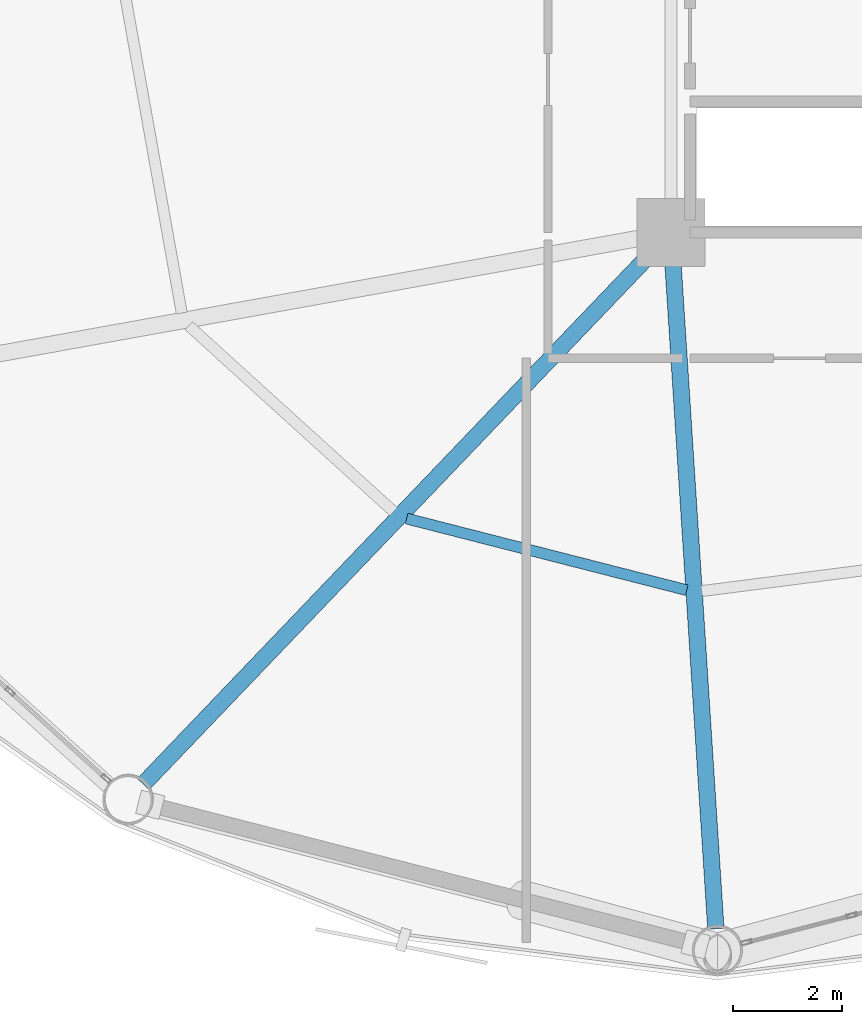
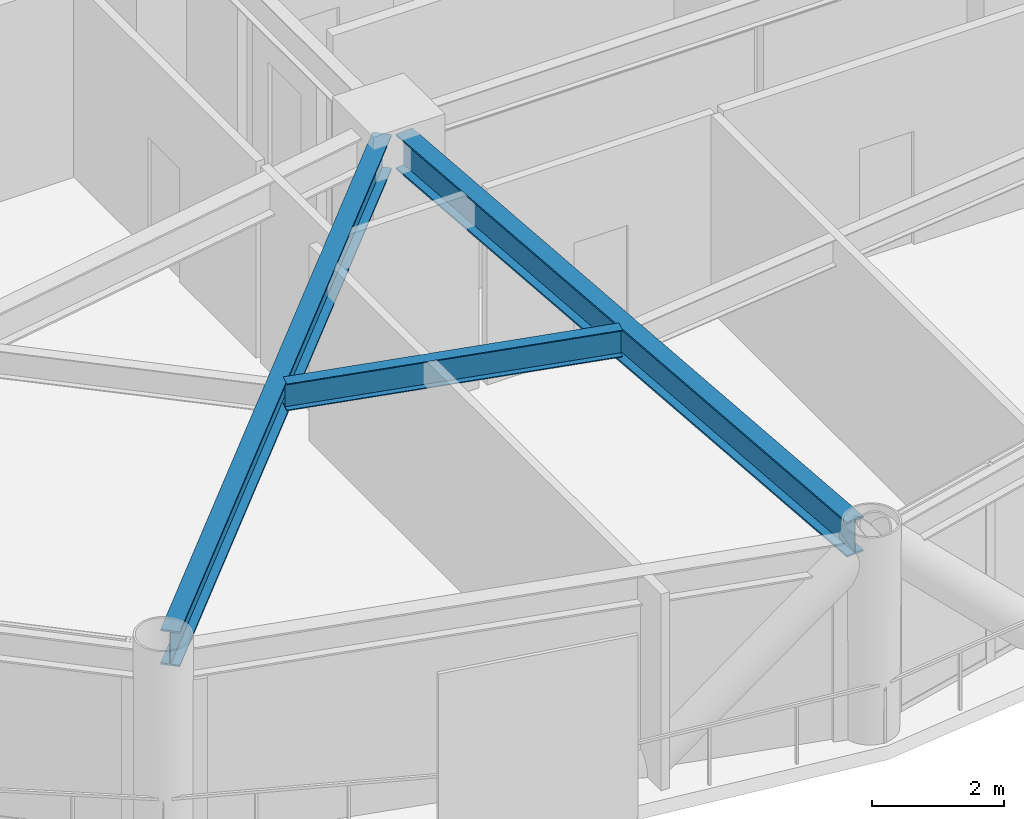
# One storey, part 6 of 25: 3 beams.
"""IFC4 building model written with IfcOpenShell, lengths in metres."""

from ifc_helpers import new_model, si_unit, direction, frame, origin, origin_2d, place, context, subcontext, project, spatial, i_section, extrude, material, material_profile, profile_set, type_object, element, save


model = new_model("IFC4")

# Units and contexts
model_context = context("Model", 3, precision=1e-05, world=origin(), true_north=direction((0.0, 1.0)))
body_context = subcontext(model_context, "Body", "Model", "MODEL_VIEW")
ifc_project = project(units=[si_unit("LENGTHUNIT", "METRE"), si_unit("AREAUNIT", "SQUARE_METRE"), si_unit("VOLUMEUNIT", "CUBIC_METRE"), si_unit("PLANEANGLEUNIT", "RADIAN"), si_unit("MASSUNIT", "GRAM", prefix="KILO")], contexts=[model_context])

# Site, building, storey
site_placement = place(None, origin())
site = spatial("IfcSite", under=ifc_project, at=site_placement, CompositionType="ELEMENT")
building_placement = place(site_placement, origin())
building = spatial("IfcBuilding", under=site, at=building_placement, Name="Varnakorn Sky Granary", CompositionType="ELEMENT")
storey_placement = place(building_placement, frame((0.0, 0.0, 70.5)))
storey = spatial("IfcBuildingStorey", under=building, at=storey_placement, Name="L17", CompositionType="ELEMENT", Elevation=70.5)

# Beams
ifc_material = material(Name="Steel S355JR", Category="steel")
ifc_material_profile_1 = material_profile(ifc_material, i_section(OverallWidth=0.300048828125, OverallDepth=0.64990234375, WebThickness=0.01611328125, FlangeThickness=0.031005859375, at=origin_2d()), Name="HE 650 B")
ifc_profile_set_1 = profile_set([ifc_material_profile_1], Name="Steel S355JR")
beam_type_1 = type_object("IfcBeamType", Name="BM-RAD-Z1", PredefinedType="BEAM", material=ifc_profile_set_1)
beam_1_placement = place(storey_placement, frame((-2.640380859375, -6.903564453125, 3.31494140625), z_axis=(-0.69130404827, -0.722563985295, 0.0), x_axis=(0.722563985295, -0.69130404827, 0.0)))
element("IfcBeam", 1, at=beam_1_placement, inside=storey, type_object=beam_type_1, Name="Radial Floor Girder RG09 L17", PredefinedType="BEAM", context=body_context, shape_type="SweptSolid", body=[
    extrude(i_section(OverallWidth=0.300048828125, OverallDepth=0.64990234375, WebThickness=0.01611328125, FlangeThickness=0.031005859375, at=origin_2d()), origin(), (0.0, 0.0, 1.0), 13.55029296875),
])
beam_2_placement = place(storey_placement, frame((-2.322998046875, -7.01904296875, 3.31494140625), z_axis=(0.064365126659, -0.997926415358, 0.0), x_axis=(0.997926415358, 0.064365126659, 0.0)))
element("IfcBeam", 2, at=beam_2_placement, inside=storey, type_object=beam_type_1, Name="Radial Floor Girder RG10 L17", PredefinedType="BEAM", context=body_context, shape_type="SweptSolid", body=[
    extrude(i_section(OverallWidth=0.300048828125, OverallDepth=0.64990234375, WebThickness=0.01611328125, FlangeThickness=0.031005859375, at=origin_2d()), origin(), (0.0, 0.0, 1.0), 12.346435546875),
])
ifc_material_profile_2 = material_profile(ifc_material, i_section(OverallWidth=0.199951171875, OverallDepth=0.5, WebThickness=0.01025390625, FlangeThickness=0.01611328125, at=origin_2d()), Name="IPE 500")
ifc_profile_set_2 = profile_set([ifc_material_profile_2], Name="Steel S355JR")
beam_type_2 = type_object("IfcBeamType", Name="BM-SEC-Z1", PredefinedType="BEAM", material=ifc_profile_set_2)
beam_3_placement = place(storey_placement, frame((-7.1884765625, -11.833740234375, 3.389892578125), z_axis=(0.968828715998, -0.247731546351, 0.0), x_axis=(0.247731546351, 0.968828715998, 0.0)))
element("IfcBeam", 3, at=beam_3_placement, inside=storey, type_object=beam_type_2, Name="Secondary Floor Chord Beam MSB09 L17", PredefinedType="BEAM", context=body_context, shape_type="SweptSolid", body=[
    extrude(i_section(OverallWidth=0.199951171875, OverallDepth=0.5, WebThickness=0.01025390625, FlangeThickness=0.01611328125, at=origin_2d()), origin(), (0.0, 0.0, 1.0), 5.292236328125),
])

save(model, "model.ifc")
